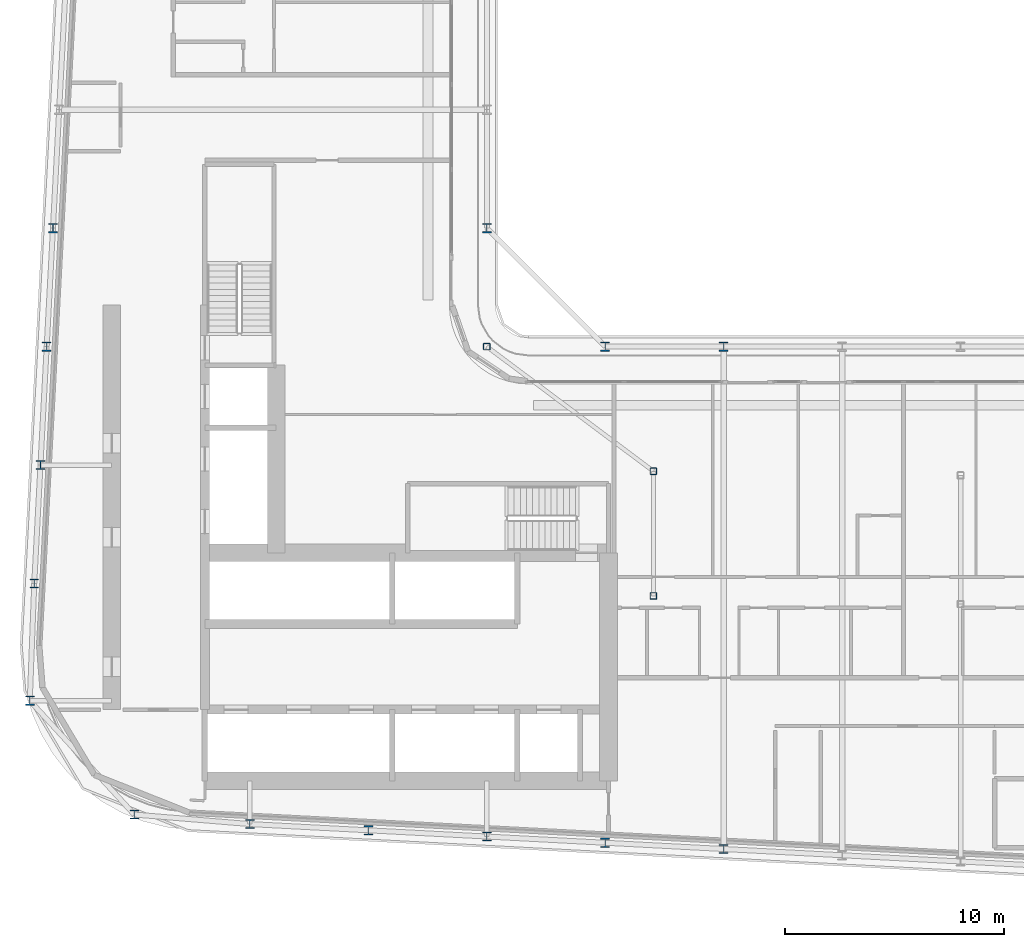
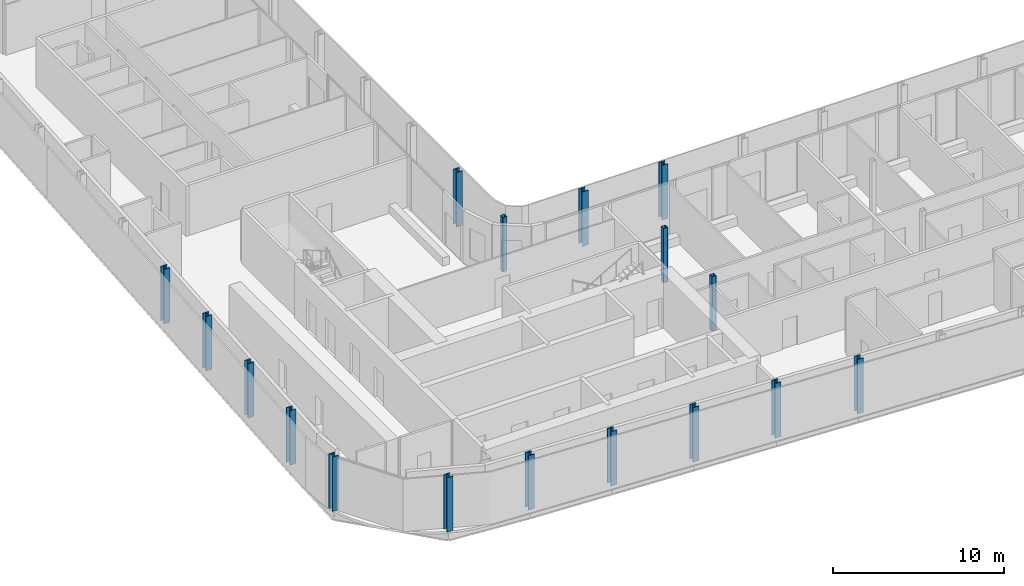
# One storey, part 1 of 30: 17 columns.
"""IFC4 building model written with IfcOpenShell, lengths in metres."""

from ifc_helpers import new_model, si_unit, direction, frame, origin, origin_2d, place, context, subcontext, project, spatial, hollow_rectangle, i_section, extrude, material, material_profile, profile_set, type_object, element, save


model = new_model("IFC4")

# Units and contexts
model_context = context("Model", 3, precision=1e-05, world=origin(), true_north=direction((0.0, 1.0)))
body_context = subcontext(model_context, "Body", "Model", "MODEL_VIEW")
ifc_project = project(units=[si_unit("LENGTHUNIT", "METRE"), si_unit("AREAUNIT", "SQUARE_METRE"), si_unit("VOLUMEUNIT", "CUBIC_METRE"), si_unit("PLANEANGLEUNIT", "RADIAN"), si_unit("MASSUNIT", "GRAM", prefix="KILO")], contexts=[model_context])

# Site, building, storey
site_placement = place(None, origin())
site = spatial("IfcSite", under=ifc_project, at=site_placement, CompositionType="ELEMENT")
building_placement = place(site_placement, origin())
building = spatial("IfcBuilding", under=site, at=building_placement, Name="Kheshtan School and Residences Tower", CompositionType="ELEMENT")
storey_placement = place(building_placement, frame((0.0, 0.0, 164.300048828125)))
storey = spatial("IfcBuildingStorey", under=building, at=storey_placement, Name="L38", CompositionType="ELEMENT", Elevation=164.300048828125)

# Columns
ifc_material_1 = material(Name="Steel ASTM A992 Grade 50", Category="steel")
ifc_material_profile_1 = material_profile(ifc_material_1, i_section(OverallWidth=0.408935546875, OverallDepth=0.425048828125, WebThickness=0.03271484375, FlangeThickness=0.052490234375, FilletRadius=0.0126953125, at=origin_2d()), Name="W360x421")
ifc_profile_set_1 = profile_set([ifc_material_profile_1], Name="Steel ASTM A992 Grade 50")
column_type_1 = type_object("IfcColumnType", Name="Column C3 W360x421 ASTM A992 Grade 50", PredefinedType="COLUMN", material=ifc_profile_set_1)
for number, where, z_axis, x_axis, name in (
    (1, (58.39990234375, 22.695068359375, 0.0), (0.0, 0.0, 1.0), (1.0, 0.0, 0.0), "Column C018"),
    (2, (53.0, 22.97998046875, 0.0), (0.0, 0.0, 1.0), (1.0, 0.0, 0.0), "Column C019"),
    (3, (47.60009765625, 23.263916015625, 0.0), (0.0, 0.0, 1.0), (1.0, 0.0, 0.0), "Column C020"),
    (4, (42.199951171875, 23.548095703125, 0.0), (0.0, 0.0, 1.0), (1.0, 0.0, 0.0), "Column C021"),
    (5, (36.800048828125, 23.83203125, 0.0), (0.0, 0.0, 1.0), (1.0, 0.0, 0.0), "Column C022"),
    (6, (31.531982421875, 24.26611328125, 0.0), (0.0, 0.0, 1.0), (1.0, 0.0, 0.0), "Column C026"),
    (7, (26.76611328125, 29.458984375, 0.0), (0.0, 0.0, 1.0), (1.0, 0.0, 0.0), "Column C039"),
    (8, (26.968994140625, 34.800048828125, 0.0), (0.0, 0.0, 1.0), (1.0, 0.0, 0.0), "Column C052"),
    (9, (27.2529296875, 40.199951171875, 0.0), (0.0, 0.0, 1.0), (1.0, 0.0, 0.0), "Column C056"),
    (10, (27.537109375, 45.60009765625, 0.0), (0.0, 0.0, 1.0), (1.0, 0.0, 0.0), "Column C059"),
    (11, (53.0, 45.60009765625, 0.0), (0.0, 0.0, 1.0), (1.0, 0.0, 0.0), "Column C061"),
    (12, (58.39990234375, 45.60009765625, 0.0), (0.0, 0.0, 1.0), (1.0, 0.0, 0.0), "Column C062"),
    (13, (27.822021484375, 51.0, 0.0), (0.0, 0.0, 1.0), (1.0, 0.0, 0.0), "Column C078"),
    (14, (47.60009765625, 51.0, 0.0), (0.0, 0.0, 1.0), (1.0, 0.0, 0.0), "Column C079"),
):
    element("IfcColumn", number, at=place(storey_placement, frame(where, z_axis=z_axis, x_axis=x_axis)), inside=storey, type_object=column_type_1, Name=name, PredefinedType="COLUMN", context=body_context, shape_type="SweptSolid", body=[
        extrude(i_section(OverallWidth=0.408935546875, OverallDepth=0.425048828125, WebThickness=0.03271484375, FlangeThickness=0.052490234375, FilletRadius=0.0126953125, at=origin_2d()), origin(), (0.0, 0.0, 1.0), 3.89990234375),
    ])
ifc_material_2 = material(Name="Steel ASTM A500 Grade C", Category="steel")
ifc_material_profile_2 = material_profile(ifc_material_2, hollow_rectangle(XDim=0.304931640625, YDim=0.304931640625, WallThickness=0.015869140625, InnerFilletRadius=0.015869140625, OuterFilletRadius=0.03173828125, at=origin_2d()), Name="HSS 305x305x15.9")
ifc_profile_set_2 = profile_set([ifc_material_profile_2], Name="Steel ASTM A500 Grade C")
column_type_2 = type_object("IfcColumnType", Name="Column IC2 HSS 305x305x15.9 ASTM A500 Grade C", PredefinedType="COLUMN", material=ifc_profile_set_2)
for number, where, z_axis, x_axis, name in (
    (15, (55.199951171875, 34.23193359375, 0.0), (0.0, 0.0, 1.0), (1.0, 0.0, 0.0), "Column C051"),
    (16, (55.199951171875, 39.916015625, 0.0), (0.0, 0.0, 1.0), (1.0, 0.0, 0.0), "Column C055"),
    (17, (47.60009765625, 45.60009765625, 0.0), (0.0, 0.0, 1.0), (1.0, 0.0, 0.0), "Column C060"),
):
    element("IfcColumn", number, at=place(storey_placement, frame(where, z_axis=z_axis, x_axis=x_axis)), inside=storey, type_object=column_type_2, Name=name, PredefinedType="COLUMN", context=body_context, shape_type="SweptSolid", body=[
        extrude(hollow_rectangle(XDim=0.304931640625, YDim=0.304931640625, WallThickness=0.015869140625, InnerFilletRadius=0.015869140625, OuterFilletRadius=0.03173828125, at=origin_2d()), origin(), (0.0, 0.0, 1.0), 3.89990234375),
    ])

save(model, "model.ifc")
